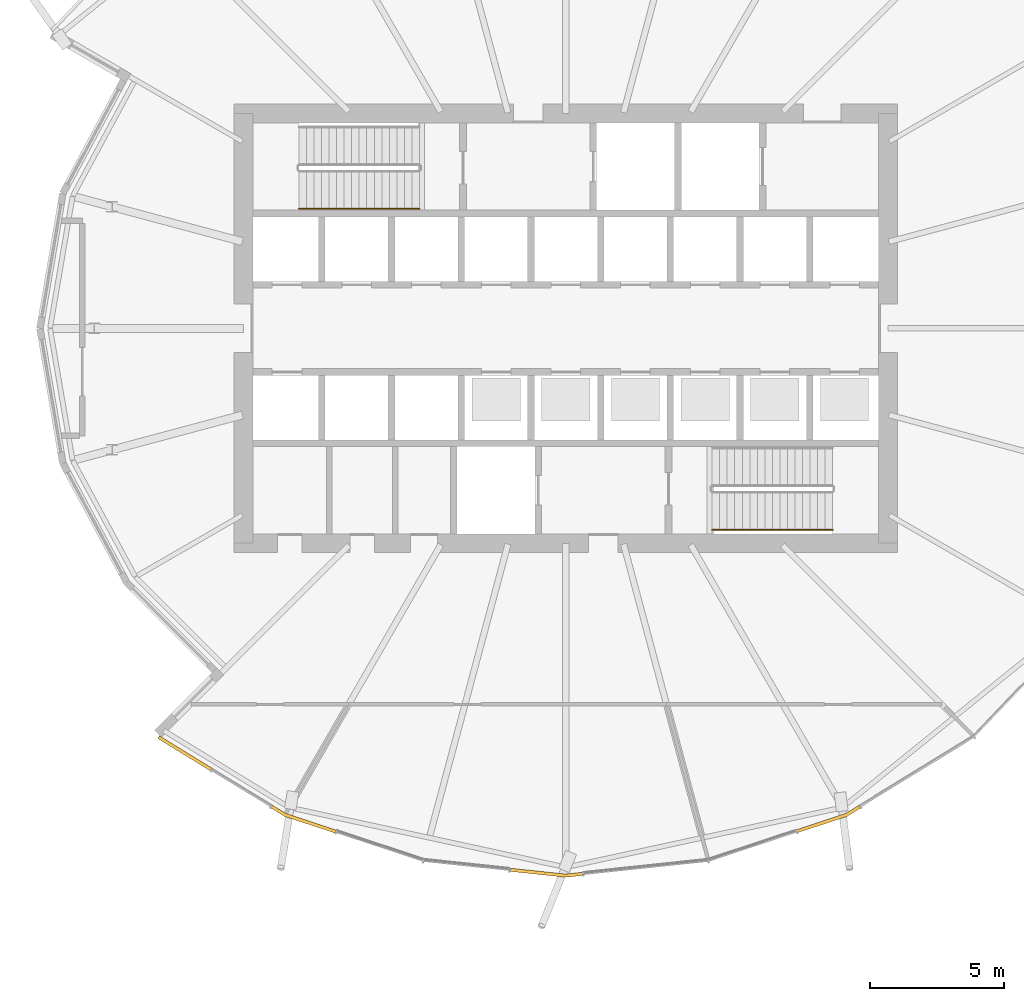
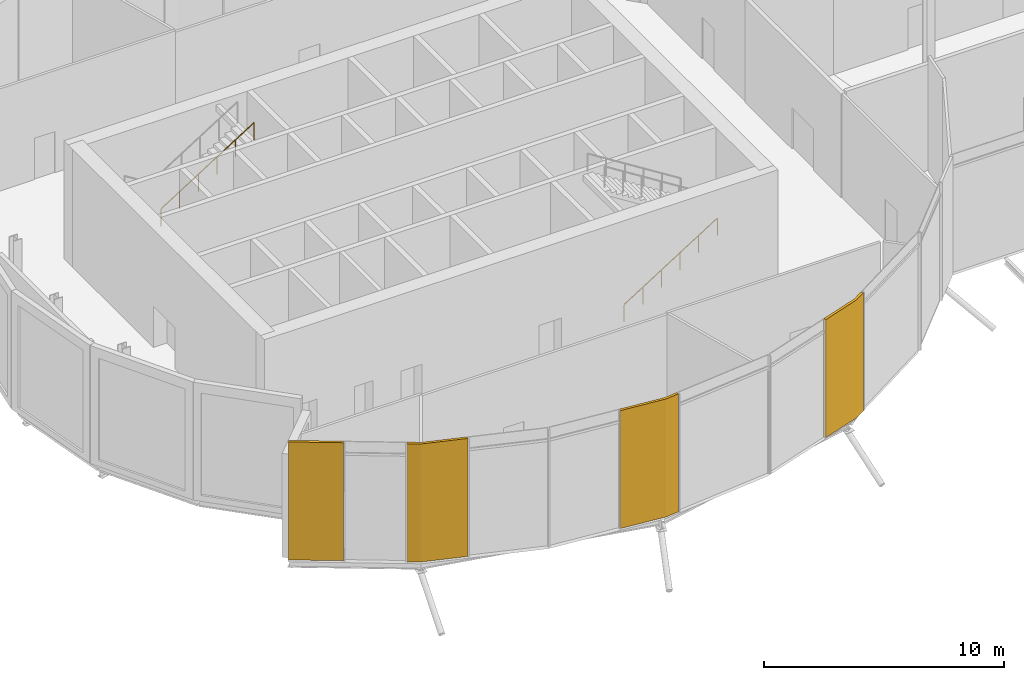
# One storey, part 33 of 38: 4 coverings, 2 railings.
"""IFC4 building model written with IfcOpenShell, lengths in metres."""

from ifc_helpers import new_model, si_unit, direction, frame, origin, origin_2d, place, context, subcontext, project, spatial, polyline, circle, outline, extrude, material, layer, layer_set, type_object, element, save


model = new_model("IFC4")

# Units and contexts
model_context = context("Model", 3, precision=1e-05, world=origin(), true_north=direction((0.0, 1.0)))
body_context = subcontext(model_context, "Body", "Model", "MODEL_VIEW")
ifc_project = project(units=[si_unit("LENGTHUNIT", "METRE"), si_unit("AREAUNIT", "SQUARE_METRE"), si_unit("VOLUMEUNIT", "CUBIC_METRE"), si_unit("PLANEANGLEUNIT", "RADIAN"), si_unit("MASSUNIT", "GRAM", prefix="KILO")], contexts=[model_context])

# Site, building, storey
site_placement = place(None, origin())
site = spatial("IfcSite", under=ifc_project, at=site_placement, CompositionType="ELEMENT")
building_placement = place(site_placement, origin())
building = spatial("IfcBuilding", under=site, at=building_placement, Name="Rimbun Link Towers", CompositionType="ELEMENT")
storey_placement = place(building_placement, frame((0.0, 0.0, 133.199951171875)))
storey = spatial("IfcBuildingStorey", under=building, at=storey_placement, Name="L32", CompositionType="ELEMENT", Elevation=133.199951171875)

# Coverings
ifc_material_1 = material(Name="Terracotta", Category="masonry")
ifc_layer = layer(ifc_material_1, 0.1201171875)
ifc_layer_set = layer_set([ifc_layer], Name="LINK PIER terracotta cladding 120")
covering_type = type_object("IfcCoveringType", Name="LINK PIER terracotta cladding 120", PredefinedType="CLADDING", material=ifc_layer_set)
covering_1_placement = place(storey_placement, origin())
element("IfcCovering", 1, at=covering_1_placement, inside=storey, type_object=covering_type, Name="LINK PIER cladding", PredefinedType="CLADDING", context=body_context, shape_type="SweptSolid", body=[
    extrude(outline(polyline([(-44.927001953125, -16.3681640625), (-46.878662109375, -15.169921875), (-46.94140625, -15.272216796875), (-44.989990234375, -16.470458984375), (-44.927001953125, -16.3681640625)])), origin(), (0.0, 0.0, 1.0), 6.0),
])
covering_2_placement = place(storey_placement, origin())
element("IfcCovering", 2, at=covering_2_placement, inside=storey, type_object=covering_type, Name="LINK PIER cladding", PredefinedType="CLADDING", context=body_context, shape_type="SweptSolid", body=[
    extrude(outline(polyline([(-40.305419921875, -18.67724609375), (-42.175537109375, -18.0576171875), (-42.6611328125, -17.75927734375), (-42.72412109375, -17.861572265625), (-42.2265625, -18.1669921875), (-40.34326171875, -18.791015625), (-40.305419921875, -18.67724609375)])), origin(), (0.0, 0.0, 1.0), 6.0),
])
covering_3_placement = place(storey_placement, origin())
element("IfcCovering", 3, at=covering_3_placement, inside=storey, type_object=covering_type, Name="LINK PIER cladding", PredefinedType="CLADDING", context=body_context, shape_type="SweptSolid", body=[
    extrude(outline(polyline([(-31.13330078125, -20.250732421875), (-31.75, -20.315673828125), (-33.80859375, -20.098876953125), (-33.8212890625, -20.218017578125), (-31.75, -20.436279296875), (-31.120849609375, -20.3701171875), (-31.13330078125, -20.250732421875)])), origin(), (0.0, 0.0, 1.0), 6.0),
])
covering_4_placement = place(storey_placement, origin())
element("IfcCovering", 4, at=covering_4_placement, inside=storey, type_object=covering_type, Name="LINK PIER cladding", PredefinedType="CLADDING", context=body_context, shape_type="SweptSolid", body=[
    extrude(outline(polyline([(-20.8388671875, -17.75927734375), (-21.324462890625, -18.0576171875), (-23.14697265625, -18.661376953125), (-23.109375, -18.775390625), (-21.2734375, -18.1669921875), (-20.77587890625, -17.861572265625), (-20.8388671875, -17.75927734375)])), origin(), (0.0, 0.0, 1.0), 6.0),
])

# Railings
ifc_material_2 = material(Name="Stainless steel grade 316", Category="steel")
railing_type = type_object("IfcRailingType", Name="Stair handrail", PredefinedType="HANDRAIL", material=ifc_material_2)
for number, where, name in (
    (5, (-41.679931640625, 4.449951171875, 3.176513671875), "L32 ST1 stair handrail 2"),
    (6, (-26.300048828125, -7.5, 0.176513671875), "L32 ST2 stair handrail 1"),
):
    element("IfcRailing", number, at=place(storey_placement, frame(where)), inside=storey, type_object=railing_type, Name=name, PredefinedType="HANDRAIL", context=body_context, shape_type="SweptSolid", body=[
        extrude(circle(Radius=0.02392578125, at=origin_2d()), frame((0.0, 0.0, 0.8759765625), z_axis=(0.845997938375, 0.0, 0.533186166611), x_axis=(0.0, 1.0, 0.0)), (0.0, 0.0, 1.0), 5.29541015625),
        extrude(circle(Radius=0.02099609375, at=origin_2d()), origin(), (0.0, 0.0, 1.0), 0.851806640625),
        extrude(circle(Radius=0.02099609375, at=origin_2d()), frame((0.89599609375, 0.0, 0.564697265625)), (0.0, 0.0, 1.0), 0.851806640625),
        extrude(circle(Radius=0.02099609375, at=origin_2d()), frame((1.7919921875, 0.0, 1.12939453125)), (0.0, 0.0, 1.0), 0.851806640625),
        extrude(circle(Radius=0.02099609375, at=origin_2d()), frame((2.68798828125, 0.0, 1.694091796875)), (0.0, 0.0, 1.0), 0.851806640625),
        extrude(circle(Radius=0.02099609375, at=origin_2d()), frame((3.583984375, 0.0, 2.2587890625)), (0.0, 0.0, 1.0), 0.851806640625),
        extrude(circle(Radius=0.02099609375, at=origin_2d()), frame((4.47998046875, 0.0, 2.823486328125)), (0.0, 0.0, 1.0), 0.851806640625),
    ])

save(model, "model.ifc")
